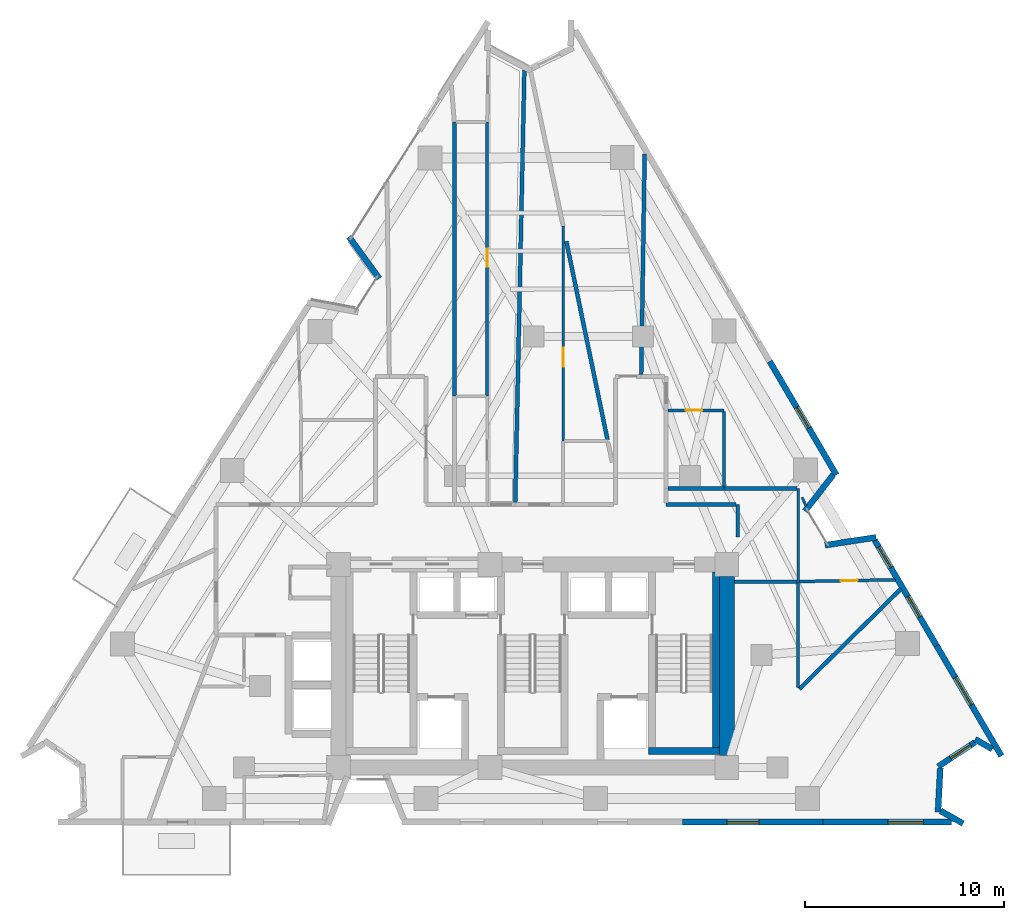
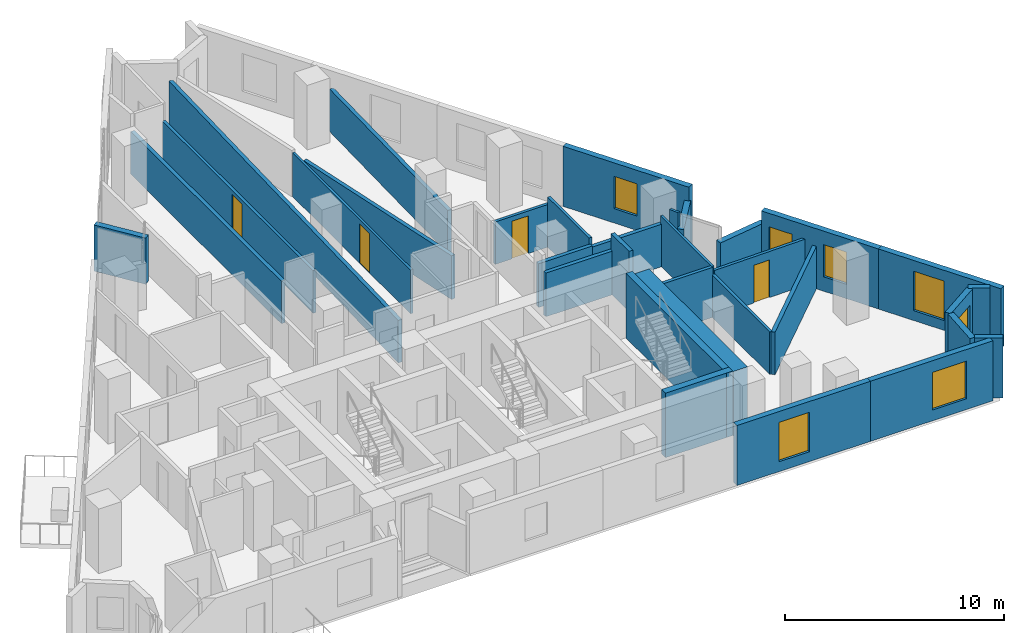
# One storey, part 9 of 12: 33 walls, 7 windows, 4 doors, 11 openings.
"""IFC4 building model written with IfcOpenShell, lengths in metres."""

from ifc_helpers import new_model, si_unit, direction, frame, frame_2d, origin, place, context, subcontext, project, spatial, rectangle, extrude, material, layer, layer_set, type_object, element, fill, save


model = new_model("IFC4")

# Units and contexts
model_context = context("Model", 3, precision=1e-05, world=origin(), true_north=direction((0.0, 1.0)))
body_context = subcontext(model_context, "Body", "Model", "MODEL_VIEW")
ifc_project = project(units=[si_unit("LENGTHUNIT", "METRE"), si_unit("AREAUNIT", "SQUARE_METRE"), si_unit("VOLUMEUNIT", "CUBIC_METRE"), si_unit("PLANEANGLEUNIT", "RADIAN"), si_unit("MASSUNIT", "GRAM", prefix="KILO")], contexts=[model_context])

# Site, building, storey
site_placement = place(None, origin())
site = spatial("IfcSite", under=ifc_project, at=site_placement, CompositionType="ELEMENT")
building_placement = place(site_placement, origin())
building = spatial("IfcBuilding", under=site, at=building_placement, Name="Almagre Mirador Tower", CompositionType="ELEMENT")
storey_placement = place(building_placement, frame((0.0, 0.0, 121.199951171875)))
storey = spatial("IfcBuildingStorey", under=building, at=storey_placement, Name="L30", CompositionType="ELEMENT", Elevation=121.199951171875)

# Wall
ifc_material_1 = material(Name="Precast concrete C50/60", Category="concrete")
ifc_layer_1 = layer(ifc_material_1, 0.300048828125)
ifc_layer_set_1 = layer_set([ifc_layer_1], Name="Precast concrete C50/60")
wall_type_1 = type_object("IfcWallType", Name="WAL-EXT-300", PredefinedType="SOLIDWALL", material=ifc_layer_set_1)
wall_1_placement = place(storey_placement, frame((29.589111328125, 29.11376953125, 0.0), z_axis=(0.0, 0.0, 1.0), x_axis=(-0.587214315037, 0.809431496926, 0.0)))
element("IfcWall", 1, at=wall_1_placement, inside=storey, type_object=wall_type_1, Name="L30 expressed almagre precast frame wall 02", PredefinedType="SOLIDWALL", context=body_context, shape_type="SweptSolid", body=[
    extrude(rectangle(XDim=2.593994140625, YDim=0.300048828125, at=frame_2d((1.296875, 0.0))), origin(), (0.0, 0.0, 1.0), 2.574951171875),
])

# Wall, opening, window
wall_2_placement = place(storey_placement, frame((49.206298828125, 24.951904296875, 0.0), z_axis=(0.0, 0.0, 1.0), x_axis=(0.506323446146, -0.862343648369, 0.0)))
wall_2 = element("IfcWall", 2, at=wall_2_placement, inside=storey, type_object=wall_type_1, Name="L30 expressed almagre precast frame wall 11", PredefinedType="SOLIDWALL", context=body_context, shape_type="SweptSolid", body=[
    extrude(rectangle(XDim=6.617431640625, YDim=0.300048828125, at=frame_2d((3.30859375, 0.0))), origin(), (0.0, 0.0, 1.0), 3.35009765625),
])
opening_1_placement = place(wall_2_placement, frame((2.675048828125, 0.0, 0.800048828125)))
opening_1 = element("IfcOpeningElement", 3, at=opening_1_placement, cuts=wall_2, Name="Opening WN-04", PredefinedType="OPENING", context=body_context, shape_type="SweptSolid", body=[
    extrude(rectangle(XDim=1.199951171875, YDim=1.800048828125, at=frame_2d((0.60009765625, 0.89990234375))), frame((0.0, 0.159902, 0.0), z_axis=(0.0, -1.0, 0.0), x_axis=(1.0, 0.0, 0.0)), (0.0, 0.0, 1.0), 0.320049),
])
ifc_material_2 = material(Name="Dark solar-control laminated hurricane glass", Category="glass")
window_type_1 = type_object("IfcWindowType", Name="WIN-1200X1800", PartitioningType="SINGLE_PANEL", PredefinedType="WINDOW", material=ifc_material_2)
window_1_placement = place(opening_1_placement, origin())
window_1 = element("IfcWindow", 4, at=window_1_placement, inside=storey, type_object=window_type_1, Name="L30 recessed hurricane window L30-UH-KT", OverallHeight=1.800048828125, OverallWidth=1.199951171875, PartitioningType="SINGLE_PANEL", PredefinedType="WINDOW", context=body_context, shape_type="SweptSolid", body=[
    extrude(rectangle(XDim=1.199951171875, YDim=1.800048828125, at=frame_2d((0.60009765625, 0.89990234375))), frame((0.0, 0.030029296875, 0.0), z_axis=(0.0, -1.0, 0.0), x_axis=(1.0, 0.0, 0.0)), (0.0, 0.0, 1.0), 0.06005859375),
])
fill(opening_1, window_1)

# Walls
wall_3_placement = place(storey_placement, frame((52.39990234375, 19.255615234375, 0.0), z_axis=(0.0, 0.0, 1.0), x_axis=(-0.61408669817, -0.78923857428, 0.0)))
element("IfcWall", 5, at=wall_3_placement, inside=storey, type_object=wall_type_1, Name="L30 expressed almagre precast frame wall 12", PredefinedType="SOLIDWALL", context=body_context, shape_type="SweptSolid", body=[
    extrude(rectangle(XDim=2.313720703125, YDim=0.300048828125, at=frame_2d((1.15673828125, 0.0))), origin(), (0.0, 0.0, 1.0), 2.574951171875),
])
wall_4_placement = place(storey_placement, frame((51.984619140625, 15.716796875, 0.0), z_axis=(0.0, 0.0, 1.0), x_axis=(0.988435812312, 0.151639852741, 0.0)))
element("IfcWall", 6, at=wall_4_placement, inside=storey, type_object=wall_type_1, Name="L30 expressed almagre precast frame wall 13", PredefinedType="SOLIDWALL", context=body_context, shape_type="SweptSolid", body=[
    extrude(rectangle(XDim=2.59375, YDim=0.300048828125, at=frame_2d((1.296875, 0.0))), origin(), (0.0, 0.0, 1.0), 2.574951171875),
])

# Wall, openings, windows
wall_5_placement = place(storey_placement, frame((54.48095703125, 15.96826171875, 0.0), z_axis=(0.0, 0.0, 1.0), x_axis=(0.506334171868, -0.862337350692, 0.0)))
wall_5 = element("IfcWall", 7, at=wall_5_placement, inside=storey, type_object=wall_type_1, Name="L30 expressed almagre precast frame wall 14", PredefinedType="SOLIDWALL", context=body_context, shape_type="SweptSolid", body=[
    extrude(rectangle(XDim=6.145263671875, YDim=0.300048828125, at=frame_2d((3.07275390625, 0.0))), origin(), (0.0, 0.0, 1.0), 3.35009765625),
])
opening_2_placement = place(wall_5_placement, frame((3.27001953125, 0.0, 0.800048828125)))
opening_2 = element("IfcOpeningElement", 8, at=opening_2_placement, cuts=wall_5, Name="Opening WN-04", PredefinedType="OPENING", context=body_context, shape_type="SweptSolid", body=[
    extrude(rectangle(XDim=1.199951171875, YDim=1.800048828125, at=frame_2d((0.60009765625, 0.89990234375))), frame((0.0, 0.159902, 0.0), z_axis=(0.0, -1.0, 0.0), x_axis=(1.0, 0.0, 0.0)), (0.0, 0.0, 1.0), 0.320049),
])
opening_3_placement = place(wall_5_placement, frame((0.39501953125, 0.0, 0.800048828125)))
opening_3 = element("IfcOpeningElement", 9, at=opening_3_placement, cuts=wall_5, Name="Opening WN-04", PredefinedType="OPENING", context=body_context, shape_type="SweptSolid", body=[
    extrude(rectangle(XDim=1.199951171875, YDim=1.800048828125, at=frame_2d((0.60009765625, 0.89990234375))), frame((0.0, 0.159902, 0.0), z_axis=(0.0, -1.0, 0.0), x_axis=(1.0, 0.0, 0.0)), (0.0, 0.0, 1.0), 0.320049),
])
window_2_placement = place(opening_2_placement, origin())
window_2 = element("IfcWindow", 10, at=window_2_placement, inside=storey, type_object=window_type_1, Name="L30 recessed hurricane window L30-UD-ST", OverallHeight=1.800048828125, OverallWidth=1.199951171875, PartitioningType="SINGLE_PANEL", PredefinedType="WINDOW", context=body_context, shape_type="SweptSolid", body=[
    extrude(rectangle(XDim=1.199951171875, YDim=1.800048828125, at=frame_2d((0.60009765625, 0.89990234375))), frame((0.0, 0.030029296875, 0.0), z_axis=(0.0, -1.0, 0.0), x_axis=(1.0, 0.0, 0.0)), (0.0, 0.0, 1.0), 0.06005859375),
])
fill(opening_2, window_2)
window_3_placement = place(opening_3_placement, origin())
window_3 = element("IfcWindow", 11, at=window_3_placement, inside=storey, type_object=window_type_1, Name="L30 recessed hurricane window L30-UE-KT", OverallHeight=1.800048828125, OverallWidth=1.199951171875, PartitioningType="SINGLE_PANEL", PredefinedType="WINDOW", context=body_context, shape_type="SweptSolid", body=[
    extrude(rectangle(XDim=1.199951171875, YDim=1.800048828125, at=frame_2d((0.60009765625, 0.89990234375))), frame((0.0, 0.030029296875, 0.0), z_axis=(0.0, -1.0, 0.0), x_axis=(1.0, 0.0, 0.0)), (0.0, 0.0, 1.0), 0.06005859375),
])
fill(opening_3, window_3)

# Wall, opening, window
wall_6_placement = place(storey_placement, frame((57.592529296875, 10.6689453125, 0.0), z_axis=(0.0, 0.0, 1.0), x_axis=(0.50635906926, -0.862322731336, 0.0)))
wall_6 = element("IfcWall", 12, at=wall_6_placement, inside=storey, type_object=wall_type_1, Name="L30 expressed almagre precast frame wall 15", PredefinedType="SOLIDWALL", context=body_context, shape_type="SweptSolid", body=[
    extrude(rectangle(XDim=6.425048828125, YDim=0.300048828125, at=frame_2d((3.21240234375, 0.0))), origin(), (0.0, 0.0, 1.0), 3.35009765625),
])
opening_4_placement = place(wall_6_placement, frame((1.85009765625, 0.0, 0.550048828125)))
opening_4 = element("IfcOpeningElement", 13, at=opening_4_placement, cuts=wall_6, Name="Opening WN-06", PredefinedType="OPENING", context=body_context, shape_type="SweptSolid", body=[
    extrude(rectangle(XDim=1.60009765625, YDim=2.199951171875, at=frame_2d((0.800048828125, 1.10009765625))), frame((0.0, 0.159902, 0.0), z_axis=(0.0, -1.0, 0.0), x_axis=(1.0, 0.0, 0.0)), (0.0, 0.0, 1.0), 0.320049),
])
ifc_material_3 = material(Name="Dark solar-control laminated hurricane glass", Category="glass")
window_type_2 = type_object("IfcWindowType", Name="WIN-1600X2200", PartitioningType="DOUBLE_PANEL_VERTICAL", PredefinedType="WINDOW", material=ifc_material_3)
window_4_placement = place(opening_4_placement, origin())
window_4 = element("IfcWindow", 14, at=window_4_placement, inside=storey, type_object=window_type_2, Name="L30 recessed hurricane window L30-UD-ST", OverallHeight=2.199951171875, OverallWidth=1.60009765625, PartitioningType="SINGLE_PANEL", PredefinedType="WINDOW", context=body_context, shape_type="SweptSolid", body=[
    extrude(rectangle(XDim=1.60009765625, YDim=2.199951171875, at=frame_2d((0.800048828125, 1.10009765625))), frame((0.0, 0.030029296875, 0.0), z_axis=(0.0, -1.0, 0.0), x_axis=(1.0, 0.0, 0.0)), (0.0, 0.0, 1.0), 0.06005859375),
])
fill(opening_4, window_4)

# Wall
wall_7_placement = place(storey_placement, frame((60.384521484375, 5.47265625, 0.0), z_axis=(0.0, 0.0, 1.0), x_axis=(-0.867744770586, 0.497010073461, 0.0)))
element("IfcWall", 15, at=wall_7_placement, inside=storey, type_object=wall_type_1, Name="L30 expressed almagre precast frame wall 16", PredefinedType="SOLIDWALL", context=body_context, shape_type="SweptSolid", body=[
    extrude(rectangle(XDim=0.99560546875, YDim=0.300048828125, at=frame_2d((0.497802734375, 0.0))), origin(), (0.0, 0.0, 1.0), 3.35009765625),
])

# Wall, opening, window
wall_8_placement = place(storey_placement, frame((59.516845703125, 5.8154296875, 0.0), z_axis=(0.0, 0.0, 1.0), x_axis=(-0.834701570444, -0.550702540669, 0.0)))
wall_8 = element("IfcWall", 16, at=wall_8_placement, inside=storey, type_object=wall_type_1, Name="L30 expressed almagre precast frame wall 17", PredefinedType="SOLIDWALL", context=body_context, shape_type="SweptSolid", body=[
    extrude(rectangle(XDim=2.216064453125, YDim=0.300048828125, at=frame_2d((1.10791015625, 0.0))), origin(), (0.0, 0.0, 1.0), 3.35009765625),
])
opening_5_placement = place(wall_8_placement, frame((0.260009765625, 0.0, 0.800048828125)))
opening_5 = element("IfcOpeningElement", 17, at=opening_5_placement, cuts=wall_8, Name="Opening WN-04", PredefinedType="OPENING", context=body_context, shape_type="SweptSolid", body=[
    extrude(rectangle(XDim=1.199951171875, YDim=1.800048828125, at=frame_2d((0.60009765625, 0.89990234375))), frame((0.0, 0.159902, 0.0), z_axis=(0.0, -1.0, 0.0), x_axis=(1.0, 0.0, 0.0)), (0.0, 0.0, 1.0), 0.320049),
])
window_5_placement = place(opening_5_placement, origin())
window_5 = element("IfcWindow", 18, at=window_5_placement, inside=storey, type_object=window_type_1, Name="L30 recessed hurricane window L30-UD-ST", OverallHeight=1.800048828125, OverallWidth=1.199951171875, PartitioningType="SINGLE_PANEL", PredefinedType="WINDOW", context=body_context, shape_type="SweptSolid", body=[
    extrude(rectangle(XDim=1.199951171875, YDim=1.800048828125, at=frame_2d((0.60009765625, 0.89990234375))), frame((0.0, 0.030029296875, 0.0), z_axis=(0.0, -1.0, 0.0), x_axis=(1.0, 0.0, 0.0)), (0.0, 0.0, 1.0), 0.06005859375),
])
fill(opening_5, window_5)

# Walls
wall_9_placement = place(storey_placement, frame((57.776123046875, 4.522216796875, 0.0), z_axis=(0.0, 0.0, 1.0), x_axis=(-0.052524156453, -0.998619653817, 0.0)))
element("IfcWall", 19, at=wall_9_placement, inside=storey, type_object=wall_type_1, Name="L30 expressed almagre precast frame wall 18", PredefinedType="SOLIDWALL", context=body_context, shape_type="SweptSolid", body=[
    extrude(rectangle(XDim=2.21728515625, YDim=0.300048828125, at=frame_2d((1.108642578125, 0.0))), origin(), (0.0, 0.0, 1.0), 3.35009765625),
])
wall_10_placement = place(storey_placement, frame((57.78857421875, 2.37841796875, 0.0), z_axis=(0.0, 0.0, 1.0), x_axis=(0.868035842981, -0.49650153605, 0.0)))
element("IfcWall", 20, at=wall_10_placement, inside=storey, type_object=wall_type_1, Name="L30 expressed almagre precast frame wall 19", PredefinedType="SOLIDWALL", context=body_context, shape_type="SweptSolid", body=[
    extrude(rectangle(XDim=1.304931640625, YDim=0.300048828125, at=frame_2d((0.65234375, 0.0))), origin(), (0.0, 0.0, 1.0), 3.35009765625),
])

# Wall, opening, window
wall_11_placement = place(storey_placement, frame((58.344970703125, 1.800048828125, 0.0), z_axis=(0.0, 0.0, 1.0), x_axis=(-1.0, 0.0, 0.0)))
wall_11 = element("IfcWall", 21, at=wall_11_placement, inside=storey, type_object=wall_type_1, Name="L30 expressed almagre precast frame wall 20", PredefinedType="SOLIDWALL", context=body_context, shape_type="SweptSolid", body=[
    extrude(rectangle(XDim=6.4580078125, YDim=0.300048828125, at=frame_2d((3.22900390625, 0.0))), origin(), (0.0, 0.0, 1.0), 3.35009765625),
])
opening_6_placement = place(wall_11_placement, frame((1.405029296875, 0.0, 0.60009765625)))
opening_6 = element("IfcOpeningElement", 22, at=opening_6_placement, cuts=wall_11, Name="Opening WN-01", PredefinedType="OPENING", context=body_context, shape_type="SweptSolid", body=[
    extrude(rectangle(XDim=1.800048828125, YDim=2.10009765625, at=frame_2d((0.89990234375, 1.050048828125))), frame((0.0, 0.159902, 0.0), z_axis=(0.0, -1.0, 0.0), x_axis=(1.0, 0.0, 0.0)), (0.0, 0.0, 1.0), 0.320049),
])
ifc_material_4 = material(Name="Dark solar-control laminated hurricane glass", Category="glass")
window_type_3 = type_object("IfcWindowType", Name="WIN-1800X2100", PartitioningType="DOUBLE_PANEL_VERTICAL", PredefinedType="WINDOW", material=ifc_material_4)
window_6_placement = place(opening_6_placement, origin())
window_6 = element("IfcWindow", 23, at=window_6_placement, inside=storey, type_object=window_type_3, Name="L30 recessed hurricane window L30-UD-BT", OverallHeight=2.10009765625, OverallWidth=1.800048828125, PartitioningType="SINGLE_PANEL", PredefinedType="WINDOW", context=body_context, shape_type="SweptSolid", body=[
    extrude(rectangle(XDim=1.800048828125, YDim=2.10009765625, at=frame_2d((0.89990234375, 1.050048828125))), frame((0.0, 0.030029296875, 0.0), z_axis=(0.0, -1.0, 0.0), x_axis=(1.0, 0.0, 0.0)), (0.0, 0.0, 1.0), 0.06005859375),
])
fill(opening_6, window_6)

wall_12_placement = place(storey_placement, frame((51.886962890625, 1.800048828125, 0.0), z_axis=(0.0, 0.0, 1.0), x_axis=(-1.0, 0.0, 0.0)))
wall_12 = element("IfcWall", 24, at=wall_12_placement, inside=storey, type_object=wall_type_1, Name="L30 expressed almagre precast frame wall 21", PredefinedType="SOLIDWALL", context=body_context, shape_type="SweptSolid", body=[
    extrude(rectangle(XDim=7.052978515625, YDim=0.300048828125, at=frame_2d((3.5263671875, 0.0))), origin(), (0.0, 0.0, 1.0), 3.35009765625),
])
opening_7_placement = place(wall_12_placement, frame((3.22509765625, 0.0, 0.550048828125)))
opening_7 = element("IfcOpeningElement", 25, at=opening_7_placement, cuts=wall_12, Name="Opening WN-06", PredefinedType="OPENING", context=body_context, shape_type="SweptSolid", body=[
    extrude(rectangle(XDim=1.60009765625, YDim=2.199951171875, at=frame_2d((0.800048828125, 1.10009765625))), frame((0.0, 0.159902, 0.0), z_axis=(0.0, -1.0, 0.0), x_axis=(1.0, 0.0, 0.0)), (0.0, 0.0, 1.0), 0.320049),
])
window_7_placement = place(opening_7_placement, origin())
window_7 = element("IfcWindow", 26, at=window_7_placement, inside=storey, type_object=window_type_2, Name="L30 recessed hurricane window L30-RST-C", OverallHeight=2.199951171875, OverallWidth=1.60009765625, PartitioningType="SINGLE_PANEL", PredefinedType="WINDOW", context=body_context, shape_type="SweptSolid", body=[
    extrude(rectangle(XDim=1.60009765625, YDim=2.199951171875, at=frame_2d((0.800048828125, 1.10009765625))), frame((0.0, 0.030029296875, 0.0), z_axis=(0.0, -1.0, 0.0), x_axis=(1.0, 0.0, 0.0)), (0.0, 0.0, 1.0), 0.06005859375),
])
fill(opening_7, window_7)

# Wall
ifc_material_5 = material(Name="Gypsum acoustic stud partition", Category="other")
ifc_layer_2 = layer(ifc_material_5, 0.125)
ifc_layer_set_2 = layer_set([ifc_layer_2], Name="Gypsum acoustic stud partition")
wall_type_2 = type_object("IfcWallType", Name="WAL-PRT-125-UTL", PredefinedType="PARTITIONING", material=ifc_layer_set_2)
wall_13_placement = place(storey_placement, frame((50.6298828125, 13.889892578125, 0.0), z_axis=(0.0, 0.0, 1.0), x_axis=(0.0, 1.0, 0.0)))
element("IfcWall", 27, at=wall_13_placement, inside=storey, type_object=wall_type_2, Name="L30 interior partition 047", PredefinedType="PARTITIONING", context=body_context, shape_type="SweptSolid", body=[
    extrude(rectangle(XDim=4.670166015625, YDim=0.125, at=frame_2d((2.3349609375, 0.0))), origin(), (0.0, 0.0, 1.0), 2.787109375),
])

# Wall, opening, door
wall_14_placement = place(storey_placement, frame((38.830078125, 20.949951171875, 0.0), z_axis=(0.0, 0.0, 1.0), x_axis=(0.0, 1.0, 0.0)))
wall_14 = element("IfcWall", 28, at=wall_14_placement, inside=storey, type_object=wall_type_2, Name="L30 interior partition 057", PredefinedType="PARTITIONING", context=body_context, shape_type="SweptSolid", body=[
    extrude(rectangle(XDim=10.800048828125, YDim=0.125, at=frame_2d((5.39990234375, 0.0))), origin(), (0.0, 0.0, 1.0), 2.43603515625),
])
opening_8_placement = place(wall_14_placement, frame((3.728759765625, 0.0, 0.0)))
opening_8 = element("IfcOpeningElement", 29, at=opening_8_placement, cuts=wall_14, Name="Opening UD-01", PredefinedType="OPENING", context=body_context, shape_type="SweptSolid", body=[
    extrude(rectangle(XDim=0.949951171875, YDim=2.199951171875, at=frame_2d((0.47509765625, 1.10009765625))), frame((0.0, 0.0725, 0.0), z_axis=(0.0, -1.0, 0.0), x_axis=(1.0, 0.0, 0.0)), (0.0, 0.0, 1.0), 0.145),
])
ifc_material_6 = material(Name="Solid American walnut timber", Category="wood")
door_type_1 = type_object("IfcDoorType", Name="DOR-UNR-950X2200", OperationType="NOTDEFINED", PredefinedType="DOOR", material=ifc_material_6)
door_1_placement = place(opening_8_placement, origin())
door_1 = element("IfcDoor", 30, at=door_1_placement, inside=storey, type_object=door_type_1, Name="DR-1000 L30 interior door L30-UG-ST to L30-UG-KT", OperationType="SINGLE_SWING_RIGHT", OverallHeight=2.199951171875, OverallWidth=0.949951171875, PredefinedType="DOOR", context=body_context, shape_type="SweptSolid", body=[
    extrude(rectangle(XDim=0.949951171875, YDim=2.199951171875, at=frame_2d((0.47509765625, 1.10009765625))), frame((0.0, 0.02490234375, 0.0), z_axis=(0.0, -1.0, 0.0), x_axis=(1.0, 0.0, 0.0)), (0.0, 0.0, 1.0), 0.050048828125),
])
fill(opening_8, door_1)

# Wall
wall_15_placement = place(storey_placement, frame((51.0380859375, 17.677978515625, 0.0), z_axis=(0.0, 0.0, 1.0), x_axis=(-0.425700784292, 0.904863991025, 0.0)))
element("IfcWall", 31, at=wall_15_placement, inside=storey, type_object=wall_type_2, Name="L30 interior partition 078", PredefinedType="PARTITIONING", context=body_context, shape_type="SweptSolid", body=[
    extrude(rectangle(XDim=0.488525390625, YDim=0.125, at=frame_2d((0.244140625, 0.0))), origin(), (0.0, 0.0, 1.0), 3.35009765625),
])

# Wall, opening, door
ifc_material_7 = material(Name="Gypsum acoustic stud partition", Category="other")
ifc_layer_3 = layer(ifc_material_7, 0.14990234375)
ifc_layer_set_3 = layer_set([ifc_layer_3], Name="Gypsum acoustic stud partition")
wall_type_3 = type_object("IfcWallType", Name="WAL-PRT-150-STD", PredefinedType="PARTITIONING", material=ifc_layer_set_3)
wall_16_placement = place(storey_placement, frame((55.511962890625, 13.97998046875, 0.0), z_axis=(0.0, 0.0, 1.0), x_axis=(-0.999829233449, -0.018479825242, 0.0)))
wall_16 = element("IfcWall", 32, at=wall_16_placement, inside=storey, type_object=wall_type_3, Name="L30 interior partition 051", PredefinedType="PARTITIONING", context=body_context, shape_type="SweptSolid", body=[
    extrude(rectangle(XDim=4.835205078125, YDim=0.14990234375, at=frame_2d((2.41748046875, 0.0))), origin(), (0.0, 0.0, 1.0), 2.570068359375),
])
opening_9_placement = place(wall_16_placement, frame((1.889404296875, 0.0, 0.0)))
opening_9 = element("IfcOpeningElement", 33, at=opening_9_placement, cuts=wall_16, Name="Opening UD-04", PredefinedType="OPENING", context=body_context, shape_type="SweptSolid", body=[
    extrude(rectangle(XDim=0.85009765625, YDim=2.10009765625, at=frame_2d((0.425048828125, 1.050048828125))), frame((0.0, 0.084951, 0.0), z_axis=(0.0, -1.0, 0.0), x_axis=(1.0, 0.0, 0.0)), (0.0, 0.0, 1.0), 0.169902),
])
ifc_material_8 = material(Name="Moisture-resistant oak timber", Category="wood")
door_type_2 = type_object("IfcDoorType", Name="DOR-UNR-850X2100", OperationType="NOTDEFINED", PredefinedType="DOOR", material=ifc_material_8)
door_2_placement = place(opening_9_placement, origin())
door_2 = element("IfcDoor", 34, at=door_2_placement, inside=storey, type_object=door_type_2, Name="DR-0995 L30 interior door L30-UE-BT to L30-UE-KT", OperationType="SINGLE_SWING_RIGHT", OverallHeight=2.10009765625, OverallWidth=0.85009765625, PredefinedType="DOOR", context=body_context, shape_type="SweptSolid", body=[
    extrude(rectangle(XDim=0.85009765625, YDim=2.10009765625, at=frame_2d((0.425048828125, 1.050048828125))), frame((0.0, 0.02490234375, 0.0), z_axis=(0.0, -1.0, 0.0), x_axis=(1.0, 0.0, 0.0)), (0.0, 0.0, 1.0), 0.050048828125),
])
fill(opening_9, door_2)

# Wall
wall_17_placement = place(storey_placement, frame((50.6298828125, 13.864990234375, 0.0), z_axis=(0.0, 0.0, 1.0), x_axis=(0.0, -1.0, 0.0)))
element("IfcWall", 35, at=wall_17_placement, inside=storey, type_object=wall_type_3, Name="L30 interior partition 052", PredefinedType="PARTITIONING", context=body_context, shape_type="SweptSolid", body=[
    extrude(rectangle(XDim=5.300048828125, YDim=0.14990234375, at=frame_2d((2.64990234375, 0.0))), origin(), (0.0, 0.0, 1.0), 2.3720703125),
])

# Wall, opening, door
wall_18_placement = place(storey_placement, frame((44.0849609375, 22.489990234375, 0.0), z_axis=(0.0, 0.0, 1.0), x_axis=(1.0, 0.0, 0.0)))
wall_18 = element("IfcWall", 36, at=wall_18_placement, inside=storey, type_object=wall_type_3, Name="L30 interior partition 065", PredefinedType="PARTITIONING", context=body_context, shape_type="SweptSolid", body=[
    extrude(rectangle(XDim=2.8349609375, YDim=0.14990234375, at=frame_2d((1.41748046875, 0.0))), origin(), (0.0, 0.0, 1.0), 2.3720703125),
])
opening_10_placement = place(wall_18_placement, frame((0.890380859375, 0.0, 0.0)))
opening_10 = element("IfcOpeningElement", 37, at=opening_10_placement, cuts=wall_18, Name="Opening UD-04", PredefinedType="OPENING", context=body_context, shape_type="SweptSolid", body=[
    extrude(rectangle(XDim=0.85009765625, YDim=2.10009765625, at=frame_2d((0.425048828125, 1.050048828125))), frame((0.0, 0.084951, 0.0), z_axis=(0.0, -1.0, 0.0), x_axis=(1.0, 0.0, 0.0)), (0.0, 0.0, 1.0), 0.169902),
])
door_3_placement = place(opening_10_placement, origin())
door_3 = element("IfcDoor", 38, at=door_3_placement, inside=storey, type_object=door_type_2, Name="DR-1002 L30 interior door L30-UH-ST to L30-UH-BT", OperationType="SINGLE_SWING_RIGHT", OverallHeight=2.10009765625, OverallWidth=0.85009765625, PredefinedType="DOOR", context=body_context, shape_type="SweptSolid", body=[
    extrude(rectangle(XDim=0.85009765625, YDim=2.10009765625, at=frame_2d((0.425048828125, 1.050048828125))), frame((0.0, 0.02490234375, 0.0), z_axis=(0.0, -1.0, 0.0), x_axis=(1.0, 0.0, 0.0)), (0.0, 0.0, 1.0), 0.050048828125),
])
fill(opening_10, door_3)

# Wall
wall_19_placement = place(storey_placement, frame((46.919921875, 22.429931640625, 0.0), z_axis=(0.0, 0.0, 1.0), x_axis=(0.0, -1.0, 0.0)))
element("IfcWall", 39, at=wall_19_placement, inside=storey, type_object=wall_type_3, Name="L30 interior partition 067", PredefinedType="PARTITIONING", context=body_context, shape_type="SweptSolid", body=[
    extrude(rectangle(XDim=3.784912109375, YDim=0.14990234375, at=frame_2d((1.892578125, 0.0))), origin(), (0.0, 0.0, 1.0), 2.787109375),
])

# Wall, opening, door
wall_20_placement = place(storey_placement, frame((35.010009765625, 36.97998046875, 0.0), z_axis=(0.0, 0.0, 1.0), x_axis=(0.0, -1.0, 0.0)))
wall_20 = element("IfcWall", 40, at=wall_20_placement, inside=storey, type_object=wall_type_3, Name="L30 interior partition 073", PredefinedType="PARTITIONING", context=body_context, shape_type="SweptSolid", body=[
    extrude(rectangle(XDim=13.77001953125, YDim=0.14990234375, at=frame_2d((6.885009765625, 0.0))), origin(), (0.0, 0.0, 1.0), 2.3720703125),
])
opening_11_placement = place(wall_20_placement, frame((6.375, 0.0, 0.0)))
opening_11 = element("IfcOpeningElement", 41, at=opening_11_placement, cuts=wall_20, Name="Opening UD-02", PredefinedType="OPENING", context=body_context, shape_type="SweptSolid", body=[
    extrude(rectangle(XDim=0.89990234375, YDim=2.14990234375, at=frame_2d((0.449951171875, 1.074951171875))), frame((0.0, 0.084951, 0.0), z_axis=(0.0, -1.0, 0.0), x_axis=(1.0, 0.0, 0.0)), (0.0, 0.0, 1.0), 0.169902),
])
ifc_material_9 = material(Name="Solid American walnut timber", Category="wood")
door_type_3 = type_object("IfcDoorType", Name="DOR-UNR-900X2150", OperationType="NOTDEFINED", PredefinedType="DOOR", material=ifc_material_9)
door_4_placement = place(opening_11_placement, origin())
door_4 = element("IfcDoor", 42, at=door_4_placement, inside=storey, type_object=door_type_3, Name="DR-1006 L30 interior door L30-UK-LV to L30-UK-MB", OperationType="SINGLE_SWING_RIGHT", OverallHeight=2.14990234375, OverallWidth=0.89990234375, PredefinedType="DOOR", context=body_context, shape_type="SweptSolid", body=[
    extrude(rectangle(XDim=0.89990234375, YDim=2.14990234375, at=frame_2d((0.449951171875, 1.074951171875))), frame((0.0, 0.02490234375, 0.0), z_axis=(0.0, -1.0, 0.0), x_axis=(1.0, 0.0, 0.0)), (0.0, 0.0, 1.0), 0.050048828125),
])
fill(opening_11, door_4)

# Walls
ifc_material_10 = material(Name="Gypsum acoustic stud partition", Category="other")
ifc_layer_4 = layer(ifc_material_10, 0.175048828125)
ifc_layer_set_4 = layer_set([ifc_layer_4], Name="Gypsum acoustic stud partition")
wall_type_4 = type_object("IfcWallType", Name="WAL-PRT-175-AC", PredefinedType="PARTITIONING", material=ifc_layer_set_4)
wall_21_placement = place(storey_placement, frame((47.425048828125, 13.889892578125, 0.0), z_axis=(0.0, 0.0, 1.0), x_axis=(1.0, 0.0, 0.0)))
element("IfcWall", 43, at=wall_21_placement, inside=storey, type_object=wall_type_4, Name="L30 interior partition 048", PredefinedType="PARTITIONING", context=body_context, shape_type="SweptSolid", body=[
    extrude(rectangle(XDim=3.157470703125, YDim=0.175048828125, at=frame_2d((1.57861328125, 0.0))), origin(), (0.0, 0.0, 1.0), 2.787109375),
])
ifc_material_11 = material(Name="Gypsum acoustic stud partition", Category="other")
ifc_layer_5 = layer(ifc_material_11, 0.199951171875)
ifc_layer_set_5 = layer_set([ifc_layer_5], Name="Gypsum acoustic stud partition")
wall_type_5 = type_object("IfcWallType", Name="WAL-PRT-200-EI60", PredefinedType="PARTITIONING", material=ifc_layer_set_5)
wall_22_placement = place(storey_placement, frame((47.60009765625, 16.1201171875, 0.0), z_axis=(0.0, 0.0, 1.0), x_axis=(0.0, 1.0, 0.0)))
element("IfcWall", 44, at=wall_22_placement, inside=storey, type_object=wall_type_5, Name="L30 interior partition 004", PredefinedType="PARTITIONING", context=body_context, shape_type="SweptSolid", body=[
    extrude(rectangle(XDim=1.6298828125, YDim=0.199951171875, at=frame_2d((0.81494140625, 0.0))), origin(), (0.0, 0.0, 1.0), 3.35009765625),
])
wall_23_placement = place(storey_placement, frame((47.514892578125, 17.75, 0.0), z_axis=(0.0, 0.0, 1.0), x_axis=(-1.0, 0.0, 0.0)))
element("IfcWall", 45, at=wall_23_placement, inside=storey, type_object=wall_type_5, Name="L30 interior partition 005", PredefinedType="PARTITIONING", context=body_context, shape_type="SweptSolid", body=[
    extrude(rectangle(XDim=3.514892578125, YDim=0.199951171875, at=frame_2d((1.75732421875, 0.0))), origin(), (0.0, 0.0, 1.0), 2.43603515625),
])
wall_24_placement = place(storey_placement, frame((50.58251953125, 18.56005859375, 0.0), z_axis=(0.0, 0.0, 1.0), x_axis=(-1.0, 0.0, 0.0)))
element("IfcWall", 46, at=wall_24_placement, inside=storey, type_object=wall_type_5, Name="L30 interior partition 049", PredefinedType="PARTITIONING", context=body_context, shape_type="SweptSolid", body=[
    extrude(rectangle(XDim=3.66259765625, YDim=0.199951171875, at=frame_2d((1.831298828125, 0.0))), origin(), (0.0, 0.0, 1.0), 2.3720703125),
])
wall_25_placement = place(storey_placement, frame((46.919921875, 18.56005859375, 0.0), z_axis=(0.0, 0.0, 1.0), x_axis=(-1.0, 0.0, 0.0)))
element("IfcWall", 47, at=wall_25_placement, inside=storey, type_object=wall_type_5, Name="L30 interior partition 050", PredefinedType="PARTITIONING", context=body_context, shape_type="SweptSolid", body=[
    extrude(rectangle(XDim=2.8349609375, YDim=0.199951171875, at=frame_2d((1.41748046875, 0.0))), origin(), (0.0, 0.0, 1.0), 2.43603515625),
])
wall_26_placement = place(storey_placement, frame((36.882080078125, 39.590087890625, 0.0), z_axis=(0.0, 0.0, 1.0), x_axis=(-0.02116035097, -0.999776094707, 0.0)))
element("IfcWall", 48, at=wall_26_placement, inside=storey, type_object=wall_type_5, Name="L30 interior partition 059", PredefinedType="PARTITIONING", context=body_context, shape_type="SweptSolid", body=[
    extrude(rectangle(XDim=21.760009765625, YDim=0.199951171875, at=frame_2d((10.8798828125, 0.0))), origin(), (0.0, 0.0, 1.0), 2.3720703125),
])
wall_27_placement = place(storey_placement, frame((41.057861328125, 21.0087890625, 0.0), z_axis=(0.0, 0.0, 1.0), x_axis=(-0.203082872661, 0.979161552979, 0.0)))
element("IfcWall", 49, at=wall_27_placement, inside=storey, type_object=wall_type_5, Name="L30 interior partition 062", PredefinedType="PARTITIONING", context=body_context, shape_type="SweptSolid", body=[
    extrude(rectangle(XDim=10.182373046875, YDim=0.199951171875, at=frame_2d((5.09130859375, 0.0))), origin(), (0.0, 0.0, 1.0), 2.43603515625),
])
wall_28_placement = place(storey_placement, frame((42.924072265625, 35.364990234375, 0.0), z_axis=(0.0, 0.0, 1.0), x_axis=(-0.015620339734, -0.999877995051, 0.0)))
element("IfcWall", 50, at=wall_28_placement, inside=storey, type_object=wall_type_5, Name="L30 interior partition 066", PredefinedType="PARTITIONING", context=body_context, shape_type="SweptSolid", body=[
    extrude(rectangle(XDim=11.08154296875, YDim=0.199951171875, at=frame_2d((5.540771484375, 0.0))), origin(), (0.0, 0.0, 1.0), 2.3720703125),
])
wall_29_placement = place(storey_placement, frame((33.360107421875, 23.2099609375, 0.0), z_axis=(0.0, 0.0, 1.0), x_axis=(0.0, 1.0, 0.0)))
element("IfcWall", 51, at=wall_29_placement, inside=storey, type_object=wall_type_5, Name="L30 interior partition 070", PredefinedType="PARTITIONING", context=body_context, shape_type="SweptSolid", body=[
    extrude(rectangle(XDim=13.77001953125, YDim=0.199951171875, at=frame_2d((6.885009765625, 0.0))), origin(), (0.0, 0.0, 1.0), 2.3720703125),
])
wall_30_placement = place(storey_placement, frame((50.68994140625, 8.489990234375, 0.0), z_axis=(0.0, 0.0, 1.0), x_axis=(0.712240299824, 0.70193572021, 0.0)))
element("IfcWall", 52, at=wall_30_placement, inside=storey, type_object=wall_type_5, Name="L30 interior partition 079", PredefinedType="PARTITIONING", context=body_context, shape_type="SweptSolid", body=[
    extrude(rectangle(XDim=7.1787109375, YDim=0.199951171875, at=frame_2d((3.58935546875, 0.0))), origin(), (0.0, 0.0, 1.0), 2.3720703125),
])
ifc_material_12 = material(Name="Concrete C60/75", Category="concrete")
ifc_layer_6 = layer(ifc_material_12, 0.35009765625)
ifc_layer_set_6 = layer_set([ifc_layer_6], Name="Concrete C60/75")
wall_type_6 = type_object("IfcWallType", Name="WAL-SHF-350", PredefinedType="SOLIDWALL", material=ifc_layer_set_6)
wall_31_placement = place(storey_placement, frame((46.5, 5.199951171875, 0.0), z_axis=(0.0, 0.0, 1.0), x_axis=(0.0, 1.0, 0.0)))
element("IfcWall", 53, at=wall_31_placement, inside=storey, type_object=wall_type_6, Name="L30 shaft wall ST3-E", PredefinedType="SOLIDWALL", context=body_context, shape_type="SweptSolid", body=[
    extrude(rectangle(XDim=9.175048828125, YDim=0.35009765625, at=frame_2d((4.58740234375, 0.0))), origin(), (0.0, 0.0, 1.0), 3.60009765625),
])
wall_32_placement = place(storey_placement, frame((43.125, 5.375, 0.0), z_axis=(0.0, 0.0, 1.0), x_axis=(1.0, 0.0, 0.0)))
element("IfcWall", 54, at=wall_32_placement, inside=storey, type_object=wall_type_6, Name="L30 shaft wall ST3-S", PredefinedType="SOLIDWALL", context=body_context, shape_type="SweptSolid", body=[
    extrude(rectangle(XDim=3.550048828125, YDim=0.35009765625, at=frame_2d((1.77490234375, 0.0))), origin(), (0.0, 0.0, 1.0), 3.60009765625),
])
ifc_material_13 = material(Name="Concrete C60/75", Category="concrete")
ifc_layer_7 = layer(ifc_material_13, 0.75)
ifc_layer_set_7 = layer_set([ifc_layer_7], Name="Concrete C60/75")
wall_type_7 = type_object("IfcWallType", Name="WAL-SHR-750", PredefinedType="SHEAR", material=ifc_layer_set_7)
wall_33_placement = place(storey_placement, frame((47.050048828125, 5.14990234375, 0.0), z_axis=(0.0, 0.0, 1.0), x_axis=(0.0, 1.0, 0.0)))
element("IfcWall", 55, at=wall_33_placement, inside=storey, type_object=wall_type_7, Name="L30 core shear wall E1", PredefinedType="SHEAR", context=body_context, shape_type="SweptSolid", body=[
    extrude(rectangle(XDim=9.0, YDim=0.75, at=frame_2d((4.5, 0.0))), origin(), (0.0, 0.0, 1.0), 3.60009765625),
])

save(model, "model.ifc")
